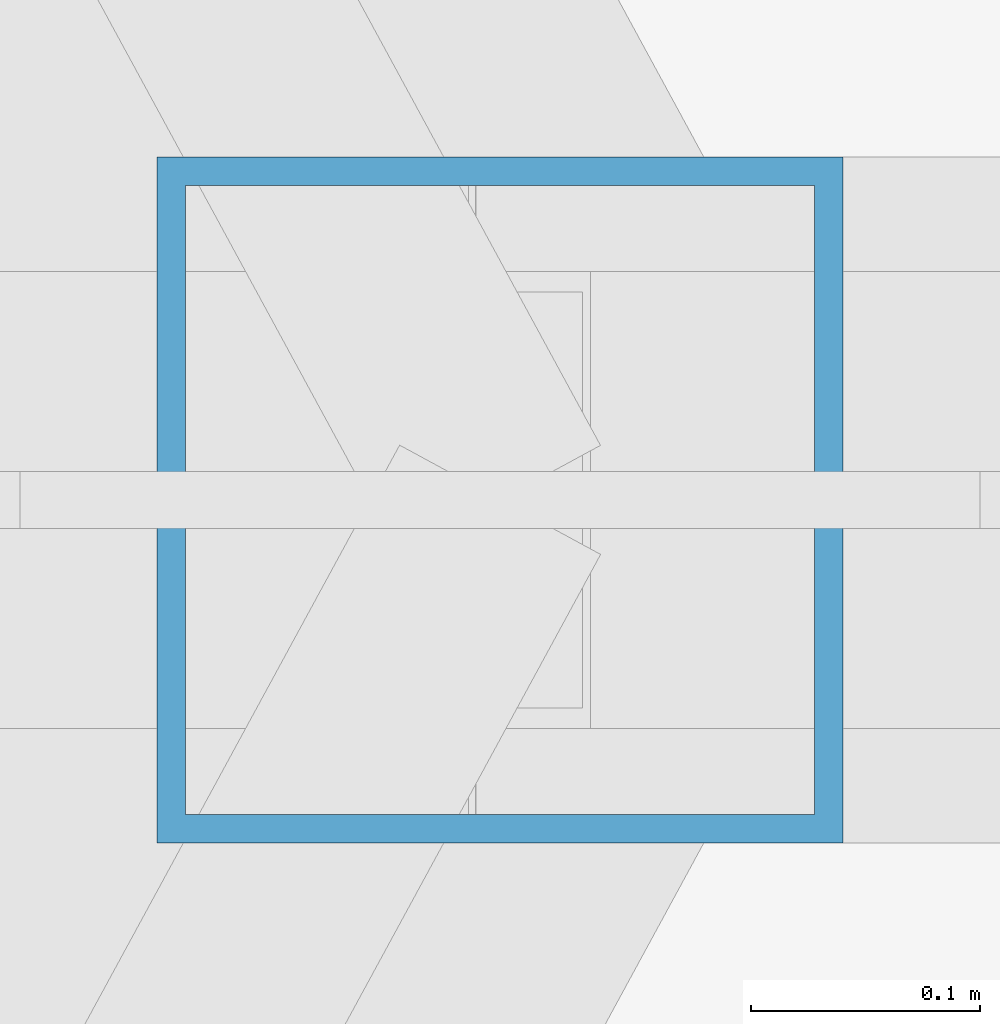
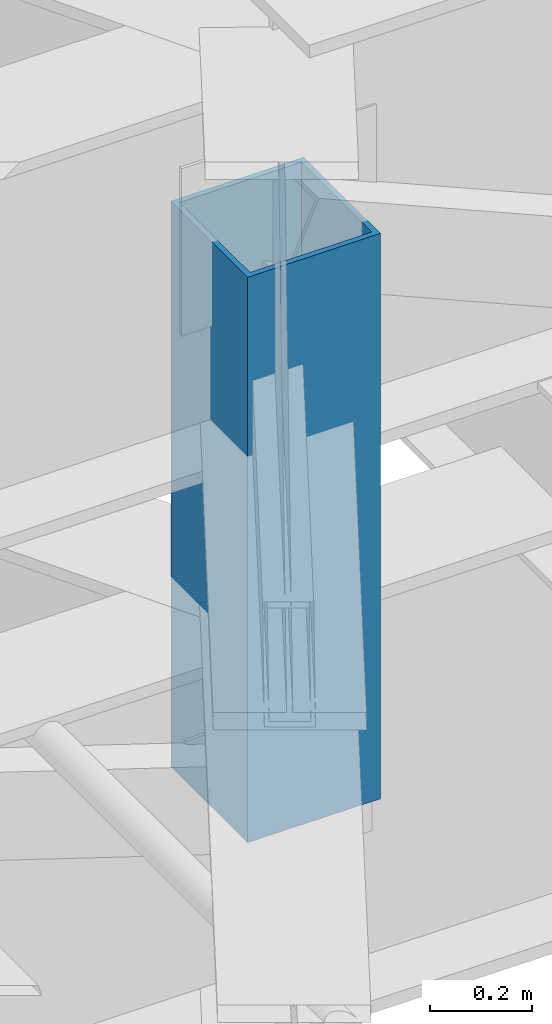
# One storey, part 65 of 184: 1 member.
"""IFC4 building model written with IfcOpenShell, lengths in metres."""

from ifc_helpers import new_model, si_unit, direction, frame, origin, origin_2d, place, context, subcontext, project, spatial, hollow_rectangle, extrude, material, material_profile, profile_set, type_object, element, save


model = new_model("IFC4")

# Units and contexts
model_context = context("Model", 3, precision=1e-05, world=origin(), true_north=direction((0.0, 1.0)))
body_context = subcontext(model_context, "Body", "Model", "MODEL_VIEW")
ifc_project = project(units=[si_unit("LENGTHUNIT", "METRE"), si_unit("AREAUNIT", "SQUARE_METRE"), si_unit("VOLUMEUNIT", "CUBIC_METRE"), si_unit("PLANEANGLEUNIT", "RADIAN"), si_unit("MASSUNIT", "GRAM", prefix="KILO")], contexts=[model_context])

# Site, building, storey
site_placement = place(None, origin())
site = spatial("IfcSite", under=ifc_project, at=site_placement, CompositionType="ELEMENT")
building_placement = place(site_placement, origin())
building = spatial("IfcBuilding", under=site, at=building_placement, Name="Kalgoora Escarpment Arena", CompositionType="ELEMENT")
storey_placement = place(building_placement, frame((0.0, 0.0, 27.60009765625)))
storey = spatial("IfcBuildingStorey", under=building, at=storey_placement, Name="Roof Level", CompositionType="ELEMENT", Elevation=27.60009765625)

# Member
ifc_material = material(Name="Structural steel C450 (450 MPa)", Category="steel")
ifc_material_profile = material_profile(ifc_material, hollow_rectangle(XDim=0.300048828125, YDim=0.300048828125, WallThickness=0.012451171875, at=origin_2d()))
ifc_profile_set = profile_set([ifc_material_profile], Name="Structural steel C450 (450 MPa)")
member_type = type_object("IfcMemberType", Name="MEM-TRUSS-POST", PredefinedType="POST", material=ifc_profile_set)
member_placement = place(storey_placement, frame((105.60009765625, 64.0, -1.60009765625), z_axis=(0.0, 0.0, 1.0), x_axis=(1.0, 0.0, 0.0)))
element("IfcMember", 1, at=member_placement, inside=storey, type_object=member_type, Name="Central ROOF TRUSS hub post 1", PredefinedType="POST", context=body_context, shape_type="SweptSolid", body=[
    extrude(hollow_rectangle(XDim=0.300048828125, YDim=0.300048828125, WallThickness=0.012451171875, at=origin_2d()), origin(), (0.0, 0.0, 1.0), 1.35009765625),
])

save(model, "model.ifc")
